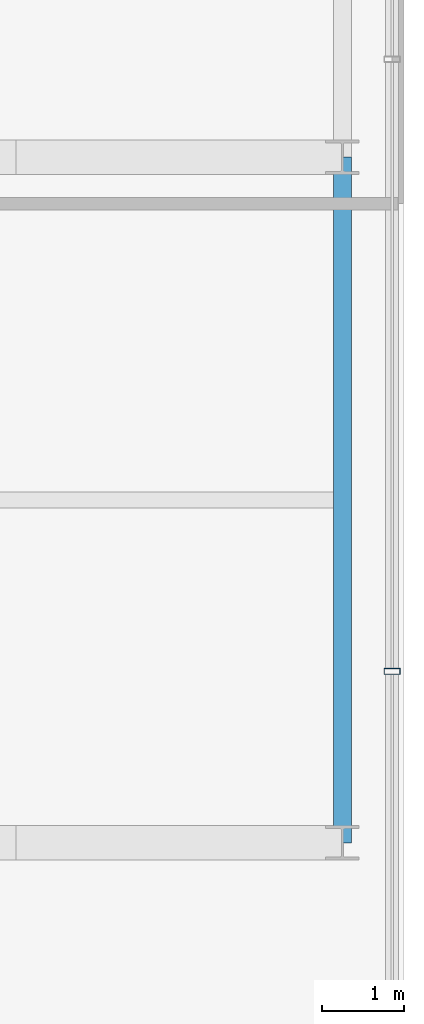
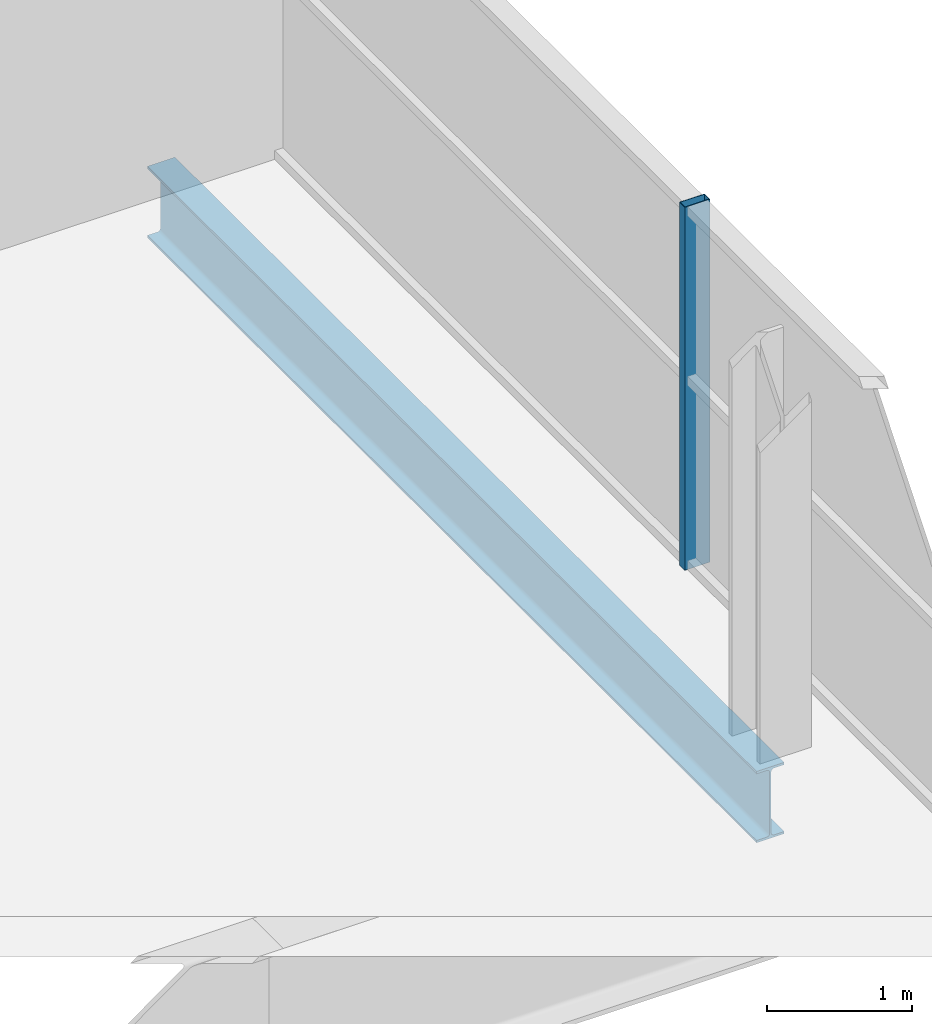
# One storey, part 13 of 31: 1 beam, 1 member, 1 element without a shape of its own.
"""IFC4 building model written with IfcOpenShell, lengths in metres."""

from ifc_helpers import new_model, si_unit, direction, frame, origin, origin_2d, place, context, subcontext, project, spatial, hollow_rectangle, i_section, extrude, source, transform, mapped, material, layer, layer_set, material_profile, profile_set, type_object, element, aggregate, save


model = new_model("IFC4")

# Units and contexts
model_context = context("Model", 3, precision=1e-05, world=origin(), true_north=direction((0.0, 1.0)))
body_context = subcontext(model_context, "Body", "Model", "MODEL_VIEW")
ifc_project = project(units=[si_unit("LENGTHUNIT", "METRE"), si_unit("AREAUNIT", "SQUARE_METRE"), si_unit("VOLUMEUNIT", "CUBIC_METRE"), si_unit("PLANEANGLEUNIT", "RADIAN"), si_unit("MASSUNIT", "GRAM", prefix="KILO")], contexts=[model_context])

# Site, building, storey
site_placement = place(None, origin())
site = spatial("IfcSite", under=ifc_project, at=site_placement, CompositionType="ELEMENT")
building_placement = place(site_placement, origin())
building = spatial("IfcBuilding", under=site, at=building_placement, Name="Zarnakvel Exchange Tower", CompositionType="ELEMENT")
storey_placement = place(building_placement, frame((0.0, 0.0, 53.800048828125)))
storey = spatial("IfcBuildingStorey", under=building, at=storey_placement, Name="L14", CompositionType="ELEMENT", Elevation=53.800048828125)

# Beam
ifc_material_1 = material(Name="Steel S355", Category="steel")
ifc_material_profile_1 = material_profile(ifc_material_1, i_section(OverallWidth=0.219970703125, OverallDepth=0.60009765625, WebThickness=0.011962890625, FlangeThickness=0.01904296875, FilletRadius=0.02392578125, at=origin_2d()))
ifc_profile_set_1 = profile_set([ifc_material_profile_1], Name="Steel S355")
beam_type = type_object("IfcBeamType", Name="SP-01", PredefinedType="SPANDREL", material=ifc_profile_set_1)
beam_placement = place(storey_placement, frame((31.85009765625, -9.60009765625, -0.525146484375), z_axis=(0.0, 1.0, 0.0), x_axis=(-1.0, 0.0, 0.0)))
element("IfcBeam", 1, at=beam_placement, inside=storey, type_object=beam_type, Name="L14 Tower N-S Frame Beam", PredefinedType="SPANDREL", context=body_context, shape_type="SweptSolid", body=[
    extrude(i_section(OverallWidth=0.219970703125, OverallDepth=0.60009765625, WebThickness=0.011962890625, FlangeThickness=0.01904296875, FilletRadius=0.02392578125, at=origin_2d()), origin(), (0.0, 0.0, 1.0), 8.400146484375),
])

# Curtain wall, member
ifc_material_2 = material(Name="Architectural Bronze Anodised Aluminium", Category="aluminium")
ifc_layer = layer(ifc_material_2, 0.199951171875)
ifc_layer_set = layer_set([ifc_layer], Name="Architectural Bronze Anodised Aluminium")
curtain_wall_type = type_object("IfcCurtainWallType", Name="CW-04", PredefinedType="NOTDEFINED", material=ifc_layer_set)
curtain_wall_placement = place(storey_placement, origin())
curtain_wall = element("IfcCurtainWall", 2, at=curtain_wall_placement, inside=storey, type_object=curtain_wall_type, Name="L14 Curtain Wall CW-L14-E1 (CW-04)", PredefinedType="NOTDEFINED")
ifc_material_profile_2 = material_profile(ifc_material_2, hollow_rectangle(XDim=0.199951171875, YDim=0.074951171875, WallThickness=0.0048828125, at=origin_2d()))
ifc_profile_set_2 = profile_set([ifc_material_profile_2], Name="Architectural Bronze Anodised Aluminium")
member_type = type_object("IfcMemberType", Name="CWM-04", PredefinedType="MULLION", material=ifc_profile_set_2)
shared_shape = source(origin(), body_context, "Body", "SweptSolid", [
    extrude(hollow_rectangle(XDim=0.199951171875, YDim=0.074951171875, WallThickness=0.0048828125, at=origin_2d()), origin(), (0.0, 0.0, 1.0), 3.054931640625),
])
member_placement = place(storey_placement, frame((32.4599609375, -7.5, 0.0), z_axis=(0.0, 0.0, 1.0), x_axis=(-1.0, 0.0, 0.0)))
member = element("IfcMember", 3, at=member_placement, type_object=member_type, Name="CW-04 mullion 2", PredefinedType="MULLION", context=body_context, shape_type="MappedRepresentation", body=[
    mapped(shared_shape, transform((0.0, 0.0, 0.0), x_axis=(1.0, 0.0, 0.0), y_axis=(0.0, 1.0, 0.0), z_axis=(0.0, 0.0, 1.0), scale=1.0)),
])
aggregate(curtain_wall, [member])

save(model, "model.ifc")
